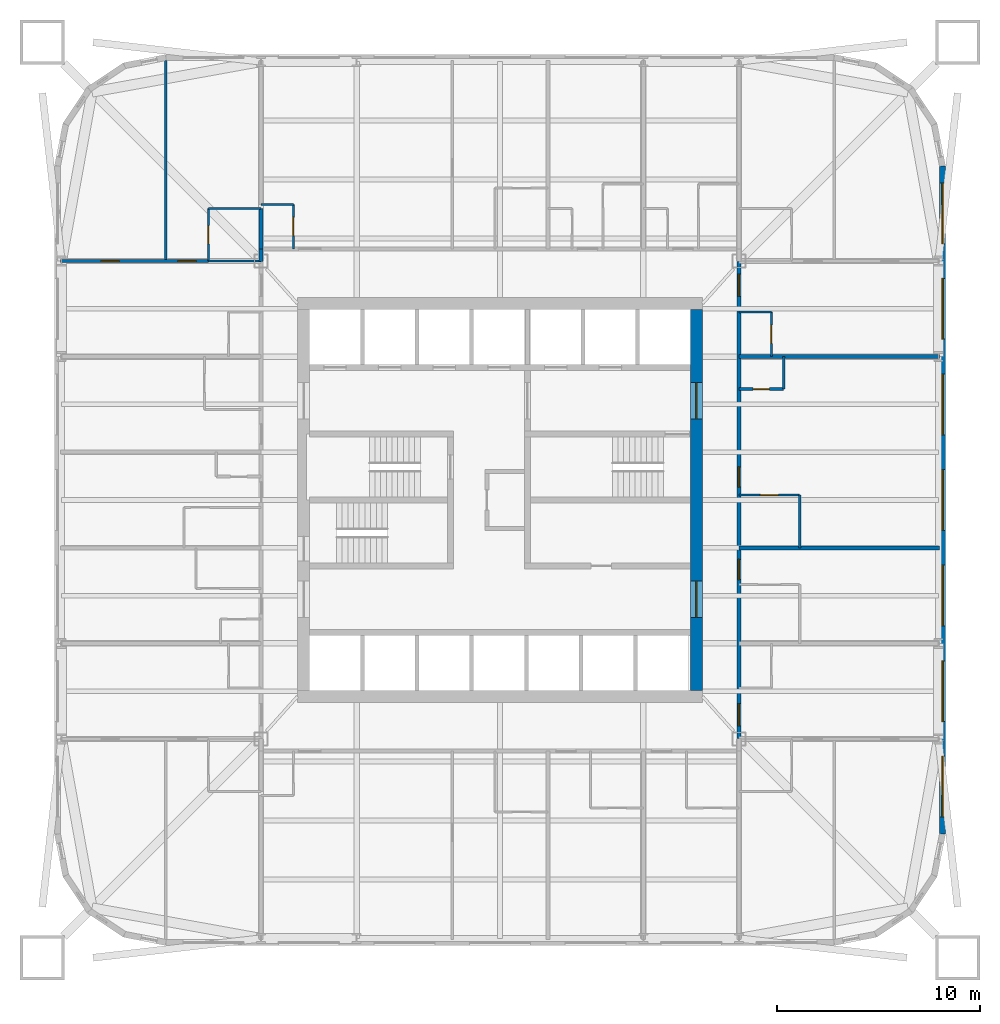
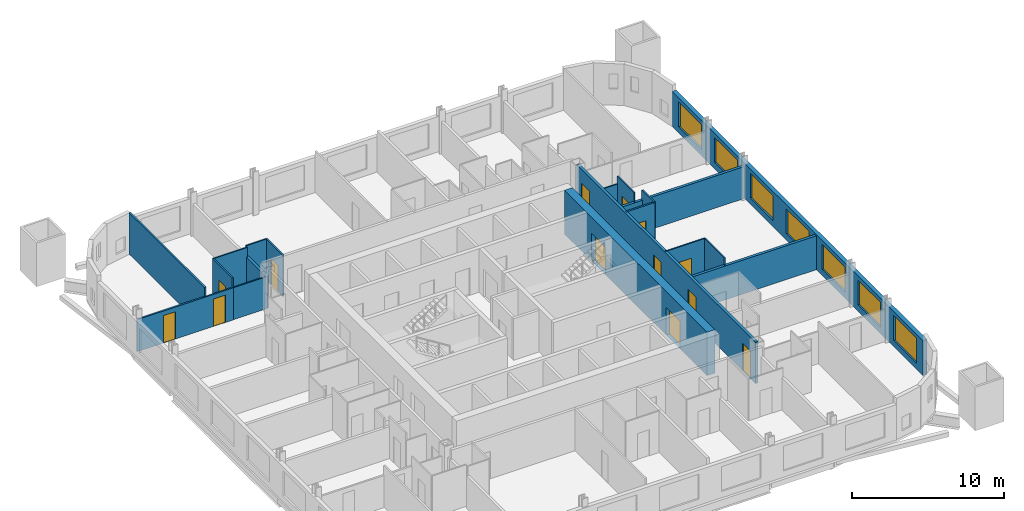
# One storey, part 6 of 9: 20 walls, 13 doors, 7 windows, 20 openings.
"""IFC4 building model written with IfcOpenShell, lengths in metres."""

from ifc_helpers import new_model, si_unit, direction, frame, frame_2d, origin, place, context, subcontext, project, spatial, rectangle, extrude, material, layer, layer_set, type_object, element, fill, save


model = new_model("IFC4")

# Units and contexts
model_context = context("Model", 3, precision=1e-05, world=origin(), true_north=direction((0.0, 1.0)))
body_context = subcontext(model_context, "Body", "Model", "MODEL_VIEW")
ifc_project = project(units=[si_unit("LENGTHUNIT", "METRE"), si_unit("AREAUNIT", "SQUARE_METRE"), si_unit("VOLUMEUNIT", "CUBIC_METRE"), si_unit("PLANEANGLEUNIT", "RADIAN"), si_unit("MASSUNIT", "GRAM", prefix="KILO")], contexts=[model_context])

# Site, building, storey
site_placement = place(None, origin())
site = spatial("IfcSite", under=ifc_project, at=site_placement, CompositionType="ELEMENT")
building_placement = place(site_placement, origin())
building = spatial("IfcBuilding", under=site, at=building_placement, Name="Turquesa Mirador Hotel Tower", CompositionType="ELEMENT")
storey_placement = place(building_placement, frame((0.0, 0.0, 28.5)))
storey = spatial("IfcBuildingStorey", under=building, at=storey_placement, Name="L06", CompositionType="ELEMENT", Elevation=28.5)

# Wall, opening, door
ifc_material_1 = material(Name="Gypsum board on steel studs", Category="steel")
ifc_layer_1 = layer(ifc_material_1, 0.10009765625)
ifc_layer_set_1 = layer_set([ifc_layer_1], Name="BATHROOM WALL 100")
wall_type_1 = type_object("IfcWallType", Name="BATHROOM WALL 100", PredefinedType="PARTITIONING", material=ifc_layer_set_1)
wall_1_placement = place(storey_placement, frame((66.800048828125, 45.239990234375, 0.0), z_axis=(0.0, 0.0, 1.0), x_axis=(1.0, 0.0, 0.0)))
wall_1 = element("IfcWall", 1, at=wall_1_placement, inside=storey, type_object=wall_type_1, Name="Partition L06 022", PredefinedType="PARTITIONING", context=body_context, shape_type="SweptSolid", body=[
    extrude(rectangle(XDim=3.0, YDim=0.10009765625, at=frame_2d((1.5, 0.0))), origin(), (0.0, 0.0, 1.0), 3.330078125),
])
opening_1_placement = place(wall_1_placement, frame((1.050048828125, 0.0, 0.0)))
opening_1 = element("IfcOpeningElement", 2, at=opening_1_placement, cuts=wall_1, Name="Opening D02", PredefinedType="OPENING", context=body_context, shape_type="SweptSolid", body=[
    extrude(rectangle(XDim=0.89990234375, YDim=2.10009765625, at=frame_2d((0.449951171875, 1.050048828125))), frame((0.0, 0.06005859375, 0.0), z_axis=(0.0, -1.0, 0.0), x_axis=(1.0, 0.0, 0.0)), (0.0, 0.0, 1.0), 0.1201171875),
])
ifc_material_2 = material(Name="Timber veneered door", Category="wood")
door_type_1 = type_object("IfcDoorType", Name="DOOR 900X2100 EN-SUITE", OperationType="SINGLE_SWING_RIGHT", PredefinedType="DOOR", material=ifc_material_2)
door_1_placement = place(opening_1_placement, origin())
door_1 = element("IfcDoor", 3, at=door_1_placement, inside=storey, type_object=door_type_1, Name="Door 0608B", OperationType="SINGLE_SWING_RIGHT", OverallHeight=2.10009765625, OverallWidth=0.89990234375, PredefinedType="DOOR", context=body_context, shape_type="SweptSolid", body=[
    extrude(rectangle(XDim=0.89990234375, YDim=2.10009765625, at=frame_2d((0.449951171875, 1.050048828125))), frame((0.0, 0.02490234375, 0.0), z_axis=(0.0, -1.0, 0.0), x_axis=(1.0, 0.0, 0.0)), (0.0, 0.0, 1.0), 0.050048828125),
])
fill(opening_1, door_1)

# Walls
wall_2_placement = place(storey_placement, frame((40.60009765625, 56.800048828125, 0.0), z_axis=(0.0, 0.0, 1.0), x_axis=(1.0, 0.0, 0.0)))
element("IfcWall", 4, at=wall_2_placement, inside=storey, type_object=wall_type_1, Name="Partition L06 024", PredefinedType="PARTITIONING", context=body_context, shape_type="SweptSolid", body=[
    extrude(rectangle(XDim=2.599853515625, YDim=0.10009765625, at=frame_2d((1.2998046875, 0.0))), origin(), (0.0, 0.0, 1.0), 2.572998046875),
])
wall_3_placement = place(storey_placement, frame((40.60009765625, 59.39990234375, 0.0), z_axis=(0.0, 0.0, 1.0), x_axis=(1.0, 0.0, 0.0)))
element("IfcWall", 5, at=wall_3_placement, inside=storey, type_object=wall_type_1, Name="Partition L06 029", PredefinedType="PARTITIONING", context=body_context, shape_type="SweptSolid", body=[
    extrude(rectangle(XDim=2.599853515625, YDim=0.10009765625, at=frame_2d((1.2998046875, 0.0))), origin(), (0.0, 0.0, 1.0), 3.330078125),
])
wall_4_placement = place(storey_placement, frame((43.199951171875, 59.60009765625, 0.0), z_axis=(0.0, 0.0, 1.0), x_axis=(1.0, 0.0, 0.0)))
element("IfcWall", 6, at=wall_4_placement, inside=storey, type_object=wall_type_1, Name="Partition L06 033", PredefinedType="PARTITIONING", context=body_context, shape_type="SweptSolid", body=[
    extrude(rectangle(XDim=1.60009765625, YDim=0.10009765625, at=frame_2d((0.800048828125, 0.0))), origin(), (0.0, 0.0, 1.0), 3.330078125),
])
wall_5_placement = place(storey_placement, frame((66.800048828125, 54.280029296875, 0.0), z_axis=(0.0, 0.0, 1.0), x_axis=(1.0, 0.0, 0.0)))
element("IfcWall", 7, at=wall_5_placement, inside=storey, type_object=wall_type_1, Name="Partition L06 043", PredefinedType="PARTITIONING", context=body_context, shape_type="SweptSolid", body=[
    extrude(rectangle(XDim=1.599853515625, YDim=0.10009765625, at=frame_2d((0.7998046875, 0.0))), origin(), (0.0, 0.0, 1.0), 2.722900390625),
])

# Wall, opening, door
wall_6_placement = place(storey_placement, frame((44.800048828125, 57.39990234375, 0.0), z_axis=(0.0, 0.0, 1.0), x_axis=(0.0, 1.0, 0.0)))
wall_6 = element("IfcWall", 8, at=wall_6_placement, inside=storey, type_object=wall_type_1, Name="Partition L06 047", PredefinedType="PARTITIONING", context=body_context, shape_type="SweptSolid", body=[
    extrude(rectangle(XDim=2.2001953125, YDim=0.10009765625, at=frame_2d((1.10009765625, 0.0))), origin(), (0.0, 0.0, 1.0), 3.330078125),
])
opening_2_placement = place(wall_6_placement, frame((0.64990234375, 0.0, 0.0)))
opening_2 = element("IfcOpeningElement", 9, at=opening_2_placement, cuts=wall_6, Name="Opening D06", PredefinedType="OPENING", context=body_context, shape_type="SweptSolid", body=[
    extrude(rectangle(XDim=0.89990234375, YDim=2.10009765625, at=frame_2d((0.449951171875, 1.050048828125))), frame((0.0, 0.06005859375, 0.0), z_axis=(0.0, -1.0, 0.0), x_axis=(1.0, 0.0, 0.0)), (0.0, 0.0, 1.0), 0.1201171875),
])
ifc_material_3 = material(Name="Laminate door", Category="wood")
door_type_2 = type_object("IfcDoorType", Name="DOOR 900X2100 WC", OperationType="SINGLE_SWING_LEFT", PredefinedType="DOOR", material=ifc_material_3)
door_2_placement = place(opening_2_placement, origin())
door_2 = element("IfcDoor", 10, at=door_2_placement, inside=storey, type_object=door_type_2, Name="Door 0601W", OperationType="SINGLE_SWING_LEFT", OverallHeight=2.10009765625, OverallWidth=0.89990234375, PredefinedType="DOOR", context=body_context, shape_type="SweptSolid", body=[
    extrude(rectangle(XDim=0.89990234375, YDim=2.10009765625, at=frame_2d((0.449951171875, 1.050048828125))), frame((0.0, 0.02490234375, 0.0), z_axis=(0.0, -1.0, 0.0), x_axis=(1.0, 0.0, 0.0)), (0.0, 0.0, 1.0), 0.050048828125),
])
fill(opening_2, door_2)

wall_7_placement = place(storey_placement, frame((40.60009765625, 56.800048828125, 0.0), z_axis=(0.0, 0.0, 1.0), x_axis=(0.0, 1.0, 0.0)))
wall_7 = element("IfcWall", 11, at=wall_7_placement, inside=storey, type_object=wall_type_1, Name="Partition L06 058", PredefinedType="PARTITIONING", context=body_context, shape_type="SweptSolid", body=[
    extrude(rectangle(XDim=2.599853515625, YDim=0.10009765625, at=frame_2d((1.2998046875, 0.0))), origin(), (0.0, 0.0, 1.0), 3.330078125),
])
opening_3_placement = place(wall_7_placement, frame((0.85009765625, 0.0, 0.0)))
opening_3 = element("IfcOpeningElement", 12, at=opening_3_placement, cuts=wall_7, Name="Opening D02", PredefinedType="OPENING", context=body_context, shape_type="SweptSolid", body=[
    extrude(rectangle(XDim=0.89990234375, YDim=2.10009765625, at=frame_2d((0.449951171875, 1.050048828125))), frame((0.0, 0.06005859375, 0.0), z_axis=(0.0, -1.0, 0.0), x_axis=(1.0, 0.0, 0.0)), (0.0, 0.0, 1.0), 0.1201171875),
])
door_3_placement = place(opening_3_placement, origin())
door_3 = element("IfcDoor", 13, at=door_3_placement, inside=storey, type_object=door_type_1, Name="Door 0613B", OperationType="SINGLE_SWING_RIGHT", OverallHeight=2.10009765625, OverallWidth=0.89990234375, PredefinedType="DOOR", context=body_context, shape_type="SweptSolid", body=[
    extrude(rectangle(XDim=0.89990234375, YDim=2.10009765625, at=frame_2d((0.449951171875, 1.050048828125))), frame((0.0, 0.02490234375, 0.0), z_axis=(0.0, -1.0, 0.0), x_axis=(1.0, 0.0, 0.0)), (0.0, 0.0, 1.0), 0.050048828125),
])
fill(opening_3, door_3)

wall_8_placement = place(storey_placement, frame((68.39990234375, 52.080078125, 0.0), z_axis=(0.0, 0.0, 1.0), x_axis=(0.0, 1.0, 0.0)))
wall_8 = element("IfcWall", 14, at=wall_8_placement, inside=storey, type_object=wall_type_1, Name="Partition L06 070", PredefinedType="PARTITIONING", context=body_context, shape_type="SweptSolid", body=[
    extrude(rectangle(XDim=2.199951171875, YDim=0.10009765625, at=frame_2d((1.10009765625, 0.0))), origin(), (0.0, 0.0, 1.0), 3.330078125),
])
opening_4_placement = place(wall_8_placement, frame((0.64990234375, 0.0, 0.0)))
opening_4 = element("IfcOpeningElement", 15, at=opening_4_placement, cuts=wall_8, Name="Opening D06", PredefinedType="OPENING", context=body_context, shape_type="SweptSolid", body=[
    extrude(rectangle(XDim=0.89990234375, YDim=2.10009765625, at=frame_2d((0.449951171875, 1.050048828125))), frame((0.0, 0.06005859375, 0.0), z_axis=(0.0, -1.0, 0.0), x_axis=(1.0, 0.0, 0.0)), (0.0, 0.0, 1.0), 0.1201171875),
])
door_4_placement = place(opening_4_placement, origin())
door_4 = element("IfcDoor", 16, at=door_4_placement, inside=storey, type_object=door_type_2, Name="Door 0612W", OperationType="SINGLE_SWING_LEFT", OverallHeight=2.10009765625, OverallWidth=0.89990234375, PredefinedType="DOOR", context=body_context, shape_type="SweptSolid", body=[
    extrude(rectangle(XDim=0.89990234375, YDim=2.10009765625, at=frame_2d((0.449951171875, 1.050048828125))), frame((0.0, 0.02490234375, 0.0), z_axis=(0.0, -1.0, 0.0), x_axis=(1.0, 0.0, 0.0)), (0.0, 0.0, 1.0), 0.050048828125),
])
fill(opening_4, door_4)

# Wall
wall_9_placement = place(storey_placement, frame((69.800048828125, 42.639892578125, 0.0), z_axis=(0.0, 0.0, 1.0), x_axis=(0.0, 1.0, 0.0)))
element("IfcWall", 17, at=wall_9_placement, inside=storey, type_object=wall_type_1, Name="Partition L06 075", PredefinedType="PARTITIONING", context=body_context, shape_type="SweptSolid", body=[
    extrude(rectangle(XDim=2.60009765625, YDim=0.10009765625, at=frame_2d((1.300048828125, 0.0))), origin(), (0.0, 0.0, 1.0), 3.330078125),
])

# Wall, openings, doors
ifc_material_4 = material(Name="Concrete C50/60", Category="concrete")
ifc_layer_2 = layer(ifc_material_4, 0.60009765625)
ifc_layer_set_2 = layer_set([ifc_layer_2], Name="CORE WALL 600")
wall_type_2 = type_object("IfcWallType", Name="CORE WALL 600", PredefinedType="SHEAR", material=ifc_layer_set_2)
wall_10_placement = place(storey_placement, frame((64.699951171875, 35.60009765625, 0.0), z_axis=(0.0, 0.0, 1.0), x_axis=(0.0, 1.0, 0.0)))
wall_10 = element("IfcWall", 18, at=wall_10_placement, inside=storey, type_object=wall_type_2, Name="Core wall E", PredefinedType="SHEAR", context=body_context, shape_type="SweptSolid", body=[
    extrude(rectangle(XDim=18.7998046875, YDim=0.60009765625, at=frame_2d((9.39990234375, 0.0))), origin(), (0.0, 0.0, 1.0), 3.5),
])
opening_5_placement = place(wall_10_placement, frame((13.39990234375, 0.0, 0.0)))
opening_5 = element("IfcOpeningElement", 19, at=opening_5_placement, cuts=wall_10, Name="Opening D04", PredefinedType="OPENING", context=body_context, shape_type="SweptSolid", body=[
    extrude(rectangle(XDim=1.800048828125, YDim=2.199951171875, at=frame_2d((0.89990234375, 1.10009765625))), frame((0.0, 0.31005859375, 0.0), z_axis=(0.0, -1.0, 0.0), x_axis=(1.0, 0.0, 0.0)), (0.0, 0.0, 1.0), 0.6201171875),
])
opening_6_placement = place(wall_10_placement, frame((3.60009765625, 0.0, 0.0)))
opening_6 = element("IfcOpeningElement", 20, at=opening_6_placement, cuts=wall_10, Name="Opening D04", PredefinedType="OPENING", context=body_context, shape_type="SweptSolid", body=[
    extrude(rectangle(XDim=1.800048828125, YDim=2.199951171875, at=frame_2d((0.89990234375, 1.10009765625))), frame((0.0, 0.31005859375, 0.0), z_axis=(0.0, -1.0, 0.0), x_axis=(1.0, 0.0, 0.0)), (0.0, 0.0, 1.0), 0.6201171875),
])
ifc_material_5 = material(Name="Steel fire door pair", Category="steel")
door_type_3 = type_object("IfcDoorType", Name="DOOR 1800X2200 PAIR", OperationType="DOUBLE_DOOR_SINGLE_SWING", PredefinedType="DOOR", material=ifc_material_5)
door_5_placement = place(opening_5_placement, origin())
door_5 = element("IfcDoor", 21, at=door_5_placement, inside=storey, type_object=door_type_3, Name="Firefighting lobby door", OperationType="DOUBLE_DOOR_SINGLE_SWING", OverallHeight=2.199951171875, OverallWidth=1.800048828125, PredefinedType="DOOR", context=body_context, shape_type="SweptSolid", body=[
    extrude(rectangle(XDim=1.800048828125, YDim=2.199951171875, at=frame_2d((0.89990234375, 1.10009765625))), frame((0.0, 0.02490234375, 0.0), z_axis=(0.0, -1.0, 0.0), x_axis=(1.0, 0.0, 0.0)), (0.0, 0.0, 1.0), 0.050048828125),
])
fill(opening_5, door_5)
door_6_placement = place(opening_6_placement, origin())
door_6 = element("IfcDoor", 22, at=door_6_placement, inside=storey, type_object=door_type_3, Name="South lift lobby door", OperationType="DOUBLE_DOOR_SINGLE_SWING", OverallHeight=2.199951171875, OverallWidth=1.800048828125, PredefinedType="DOOR", context=body_context, shape_type="SweptSolid", body=[
    extrude(rectangle(XDim=1.800048828125, YDim=2.199951171875, at=frame_2d((0.89990234375, 1.10009765625))), frame((0.0, 0.02490234375, 0.0), z_axis=(0.0, -1.0, 0.0), x_axis=(1.0, 0.0, 0.0)), (0.0, 0.0, 1.0), 0.050048828125),
])
fill(opening_6, door_6)

ifc_material_6 = material(Name="Fire-rated gypsum board on steel studs", Category="steel")
ifc_layer_3 = layer(ifc_material_6, 0.199951171875)
ifc_layer_set_3 = layer_set([ifc_layer_3], Name="CORRIDOR WALL 200")
wall_type_3 = type_object("IfcWallType", Name="CORRIDOR WALL 200", PredefinedType="PARTITIONING", material=ifc_layer_set_3)
wall_11_placement = place(storey_placement, frame((66.800048828125, 33.219970703125, 0.0), z_axis=(0.0, 0.0, 1.0), x_axis=(0.0, 1.0, 0.0)))
wall_11 = element("IfcWall", 23, at=wall_11_placement, inside=storey, type_object=wall_type_3, Name="Partition L06 066", PredefinedType="PARTITIONING", context=body_context, shape_type="SweptSolid", body=[
    extrude(rectangle(XDim=23.56005859375, YDim=0.199951171875, at=frame_2d((11.780029296875, 0.0))), origin(), (0.0, 0.0, 1.0), 3.330078125),
])
opening_7_placement = place(wall_11_placement, frame((7.85009765625, 0.0, 0.0)))
opening_7 = element("IfcOpeningElement", 24, at=opening_7_placement, cuts=wall_11, Name="Opening D01", PredefinedType="OPENING", context=body_context, shape_type="SweptSolid", body=[
    extrude(rectangle(XDim=1.0, YDim=2.199951171875, at=frame_2d((0.5, 1.10009765625))), frame((0.0, 0.10986328125, 0.0), z_axis=(0.0, -1.0, 0.0), x_axis=(1.0, 0.0, 0.0)), (0.0, 0.0, 1.0), 0.219970703125),
])
opening_8_placement = place(wall_11_placement, frame((12.419921875, 0.0, 0.0)))
opening_8 = element("IfcOpeningElement", 25, at=opening_8_placement, cuts=wall_11, Name="Opening D01", PredefinedType="OPENING", context=body_context, shape_type="SweptSolid", body=[
    extrude(rectangle(XDim=1.0, YDim=2.199951171875, at=frame_2d((0.5, 1.10009765625))), frame((0.0, 0.10986328125, 0.0), z_axis=(0.0, -1.0, 0.0), x_axis=(1.0, 0.0, 0.0)), (0.0, 0.0, 1.0), 0.219970703125),
])
opening_9_placement = place(wall_11_placement, frame((21.830078125, 0.0, 0.0)))
opening_9 = element("IfcOpeningElement", 26, at=opening_9_placement, cuts=wall_11, Name="Opening D15", PredefinedType="OPENING", context=body_context, shape_type="SweptSolid", body=[
    extrude(rectangle(XDim=1.10009765625, YDim=2.199951171875, at=frame_2d((0.550048828125, 1.10009765625))), frame((0.0, 0.10986328125, 0.0), z_axis=(0.0, -1.0, 0.0), x_axis=(1.0, 0.0, 0.0)), (0.0, 0.0, 1.0), 0.219970703125),
])
opening_10_placement = place(wall_11_placement, frame((0.6298828125, 0.0, 0.0)))
opening_10 = element("IfcOpeningElement", 27, at=opening_10_placement, cuts=wall_11, Name="Opening D15", PredefinedType="OPENING", context=body_context, shape_type="SweptSolid", body=[
    extrude(rectangle(XDim=1.10009765625, YDim=2.199951171875, at=frame_2d((0.550048828125, 1.10009765625))), frame((0.0, 0.10986328125, 0.0), z_axis=(0.0, -1.0, 0.0), x_axis=(1.0, 0.0, 0.0)), (0.0, 0.0, 1.0), 0.219970703125),
])
ifc_material_7 = material(Name="Timber veneered fire door", Category="wood")
door_type_4 = type_object("IfcDoorType", Name="DOOR 1000X2200 GUEST ENTRY", OperationType="SINGLE_SWING_LEFT", PredefinedType="DOOR", material=ifc_material_7)
door_7_placement = place(opening_7_placement, origin())
door_7 = element("IfcDoor", 28, at=door_7_placement, inside=storey, type_object=door_type_4, Name="Door 0607", OperationType="SINGLE_SWING_LEFT", OverallHeight=2.199951171875, OverallWidth=1.0, PredefinedType="DOOR", context=body_context, shape_type="SweptSolid", body=[
    extrude(rectangle(XDim=1.0, YDim=2.199951171875, at=frame_2d((0.5, 1.10009765625))), frame((0.0, 0.02490234375, 0.0), z_axis=(0.0, -1.0, 0.0), x_axis=(1.0, 0.0, 0.0)), (0.0, 0.0, 1.0), 0.050048828125),
])
fill(opening_7, door_7)
door_8_placement = place(opening_8_placement, origin())
door_8 = element("IfcDoor", 29, at=door_8_placement, inside=storey, type_object=door_type_4, Name="Door 0608", OperationType="SINGLE_SWING_LEFT", OverallHeight=2.199951171875, OverallWidth=1.0, PredefinedType="DOOR", context=body_context, shape_type="SweptSolid", body=[
    extrude(rectangle(XDim=1.0, YDim=2.199951171875, at=frame_2d((0.5, 1.10009765625))), frame((0.0, 0.02490234375, 0.0), z_axis=(0.0, -1.0, 0.0), x_axis=(1.0, 0.0, 0.0)), (0.0, 0.0, 1.0), 0.050048828125),
])
fill(opening_8, door_8)
ifc_material_8 = material(Name="Timber veneered fire door", Category="wood")
door_type_5 = type_object("IfcDoorType", Name="DOOR 1100X2200 SUITE ENTRY", OperationType="SINGLE_SWING_LEFT", PredefinedType="DOOR", material=ifc_material_8)
door_9_placement = place(opening_9_placement, origin())
door_9 = element("IfcDoor", 30, at=door_9_placement, inside=storey, type_object=door_type_5, Name="Door 0612", OperationType="SINGLE_SWING_LEFT", OverallHeight=2.199951171875, OverallWidth=1.10009765625, PredefinedType="DOOR", context=body_context, shape_type="SweptSolid", body=[
    extrude(rectangle(XDim=1.10009765625, YDim=2.199951171875, at=frame_2d((0.550048828125, 1.10009765625))), frame((0.0, 0.02490234375, 0.0), z_axis=(0.0, -1.0, 0.0), x_axis=(1.0, 0.0, 0.0)), (0.0, 0.0, 1.0), 0.050048828125),
])
fill(opening_9, door_9)
door_10_placement = place(opening_10_placement, origin())
door_10 = element("IfcDoor", 31, at=door_10_placement, inside=storey, type_object=door_type_5, Name="Door 0615", OperationType="SINGLE_SWING_LEFT", OverallHeight=2.199951171875, OverallWidth=1.10009765625, PredefinedType="DOOR", context=body_context, shape_type="SweptSolid", body=[
    extrude(rectangle(XDim=1.10009765625, YDim=2.199951171875, at=frame_2d((0.550048828125, 1.10009765625))), frame((0.0, 0.02490234375, 0.0), z_axis=(0.0, -1.0, 0.0), x_axis=(1.0, 0.0, 0.0)), (0.0, 0.0, 1.0), 0.050048828125),
])
fill(opening_10, door_10)

# Wall
wall_12_placement = place(storey_placement, frame((43.199951171875, 56.780029296875, 0.0), z_axis=(0.0, 0.0, 1.0), x_axis=(0.0, 1.0, 0.0)))
element("IfcWall", 32, at=wall_12_placement, inside=storey, type_object=wall_type_3, Name="Partition L06 089", PredefinedType="PARTITIONING", context=body_context, shape_type="SweptSolid", body=[
    extrude(rectangle(XDim=0.619873046875, YDim=0.199951171875, at=frame_2d((0.31005859375, 0.0))), origin(), (0.0, 0.0, 1.0), 2.572998046875),
])

# Wall, openings, windows
ifc_material_9 = material(Name="Limestone cladding on concrete block", Category="masonry")
ifc_layer_4 = layer(ifc_material_9, 0.300048828125)
ifc_layer_set_4 = layer_set([ifc_layer_4], Name="FACADE WALL 300 STONE SCREEN")
wall_type_4 = type_object("IfcWallType", Name="FACADE WALL 300 STONE SCREEN", PredefinedType="SOLIDWALL", material=ifc_layer_set_4)
wall_13_placement = place(storey_placement, frame((76.85009765625, 28.5, 0.0), z_axis=(0.0, 0.0, 1.0), x_axis=(0.0, 1.0, 0.0)))
wall_13 = element("IfcWall", 33, at=wall_13_placement, inside=storey, type_object=wall_type_4, Name="Facade wall L06 04", PredefinedType="SOLIDWALL", context=body_context, shape_type="SweptSolid", body=[
    extrude(rectangle(XDim=33.0, YDim=0.300048828125, at=frame_2d((16.5, 0.0))), origin(), (0.0, 0.0, 1.0), 2.830078125),
])
opening_11_placement = place(wall_13_placement, frame((0.85009765625, 0.0, 0.5)))
opening_11 = element("IfcOpeningElement", 34, at=opening_11_placement, cuts=wall_13, Name="Opening WN1", PredefinedType="OPENING", context=body_context, shape_type="SweptSolid", body=[
    extrude(rectangle(XDim=3.0, YDim=2.0, at=frame_2d((1.5, 1.0))), frame((0.0, 0.159912109375, 0.0), z_axis=(0.0, -1.0, 0.0), x_axis=(1.0, 0.0, 0.0)), (0.0, 0.0, 1.0), 0.320068359375),
])
opening_12_placement = place(wall_13_placement, frame((5.56005859375, 0.0, 0.5)))
opening_12 = element("IfcOpeningElement", 35, at=opening_12_placement, cuts=wall_13, Name="Opening WN1", PredefinedType="OPENING", context=body_context, shape_type="SweptSolid", body=[
    extrude(rectangle(XDim=3.0, YDim=2.0, at=frame_2d((1.5, 1.0))), frame((0.0, 0.159912109375, 0.0), z_axis=(0.0, -1.0, 0.0), x_axis=(1.0, 0.0, 0.0)), (0.0, 0.0, 1.0), 0.320068359375),
])
opening_13_placement = place(wall_13_placement, frame((10.280029296875, 0.0, 0.5)))
opening_13 = element("IfcOpeningElement", 36, at=opening_13_placement, cuts=wall_13, Name="Opening WN1", PredefinedType="OPENING", context=body_context, shape_type="SweptSolid", body=[
    extrude(rectangle(XDim=3.0, YDim=2.0, at=frame_2d((1.5, 1.0))), frame((0.0, 0.159912109375, 0.0), z_axis=(0.0, -1.0, 0.0), x_axis=(1.0, 0.0, 0.0)), (0.0, 0.0, 1.0), 0.320068359375),
])
opening_14_placement = place(wall_13_placement, frame((15.0, 0.0, 0.5)))
opening_14 = element("IfcOpeningElement", 37, at=opening_14_placement, cuts=wall_13, Name="Opening WN1", PredefinedType="OPENING", context=body_context, shape_type="SweptSolid", body=[
    extrude(rectangle(XDim=3.0, YDim=2.0, at=frame_2d((1.5, 1.0))), frame((0.0, 0.159912109375, 0.0), z_axis=(0.0, -1.0, 0.0), x_axis=(1.0, 0.0, 0.0)), (0.0, 0.0, 1.0), 0.320068359375),
])
opening_15_placement = place(wall_13_placement, frame((19.719970703125, 0.0, 0.5)))
opening_15 = element("IfcOpeningElement", 38, at=opening_15_placement, cuts=wall_13, Name="Opening WN1", PredefinedType="OPENING", context=body_context, shape_type="SweptSolid", body=[
    extrude(rectangle(XDim=3.0, YDim=2.0, at=frame_2d((1.5, 1.0))), frame((0.0, 0.159912109375, 0.0), z_axis=(0.0, -1.0, 0.0), x_axis=(1.0, 0.0, 0.0)), (0.0, 0.0, 1.0), 0.320068359375),
])
opening_16_placement = place(wall_13_placement, frame((24.43994140625, 0.0, 0.5)))
opening_16 = element("IfcOpeningElement", 39, at=opening_16_placement, cuts=wall_13, Name="Opening WN1", PredefinedType="OPENING", context=body_context, shape_type="SweptSolid", body=[
    extrude(rectangle(XDim=3.0, YDim=2.0, at=frame_2d((1.5, 1.0))), frame((0.0, 0.159912109375, 0.0), z_axis=(0.0, -1.0, 0.0), x_axis=(1.0, 0.0, 0.0)), (0.0, 0.0, 1.0), 0.320068359375),
])
opening_17_placement = place(wall_13_placement, frame((29.14990234375, 0.0, 0.5)))
opening_17 = element("IfcOpeningElement", 40, at=opening_17_placement, cuts=wall_13, Name="Opening WN1", PredefinedType="OPENING", context=body_context, shape_type="SweptSolid", body=[
    extrude(rectangle(XDim=3.0, YDim=2.0, at=frame_2d((1.5, 1.0))), frame((0.0, 0.159912109375, 0.0), z_axis=(0.0, -1.0, 0.0), x_axis=(1.0, 0.0, 0.0)), (0.0, 0.0, 1.0), 0.320068359375),
])
ifc_material_10 = material(Name="Ceramic-fritted laminated glass", Category="glass")
window_type = type_object("IfcWindowType", Name="FRITTED WINDOW 3000X2000", PartitioningType="DOUBLE_PANEL_HORIZONTAL", PredefinedType="WINDOW", material=ifc_material_10)
window_1_placement = place(opening_11_placement, origin())
window_1 = element("IfcWindow", 41, at=window_1_placement, inside=storey, type_object=window_type, Name="Window L06", OverallHeight=2.0, OverallWidth=3.0, PartitioningType="SINGLE_PANEL", PredefinedType="WINDOW", context=body_context, shape_type="SweptSolid", body=[
    extrude(rectangle(XDim=3.0, YDim=2.0, at=frame_2d((1.5, 1.0))), frame((0.0, 0.030029296875, 0.0), z_axis=(0.0, -1.0, 0.0), x_axis=(1.0, 0.0, 0.0)), (0.0, 0.0, 1.0), 0.06005859375),
])
fill(opening_11, window_1)
window_2_placement = place(opening_12_placement, origin())
window_2 = element("IfcWindow", 42, at=window_2_placement, inside=storey, type_object=window_type, Name="Window L06", OverallHeight=2.0, OverallWidth=3.0, PartitioningType="SINGLE_PANEL", PredefinedType="WINDOW", context=body_context, shape_type="SweptSolid", body=[
    extrude(rectangle(XDim=3.0, YDim=2.0, at=frame_2d((1.5, 1.0))), frame((0.0, 0.030029296875, 0.0), z_axis=(0.0, -1.0, 0.0), x_axis=(1.0, 0.0, 0.0)), (0.0, 0.0, 1.0), 0.06005859375),
])
fill(opening_12, window_2)
window_3_placement = place(opening_13_placement, origin())
window_3 = element("IfcWindow", 43, at=window_3_placement, inside=storey, type_object=window_type, Name="Window L06", OverallHeight=2.0, OverallWidth=3.0, PartitioningType="SINGLE_PANEL", PredefinedType="WINDOW", context=body_context, shape_type="SweptSolid", body=[
    extrude(rectangle(XDim=3.0, YDim=2.0, at=frame_2d((1.5, 1.0))), frame((0.0, 0.030029296875, 0.0), z_axis=(0.0, -1.0, 0.0), x_axis=(1.0, 0.0, 0.0)), (0.0, 0.0, 1.0), 0.06005859375),
])
fill(opening_13, window_3)
window_4_placement = place(opening_14_placement, origin())
window_4 = element("IfcWindow", 44, at=window_4_placement, inside=storey, type_object=window_type, Name="Window L06", OverallHeight=2.0, OverallWidth=3.0, PartitioningType="SINGLE_PANEL", PredefinedType="WINDOW", context=body_context, shape_type="SweptSolid", body=[
    extrude(rectangle(XDim=3.0, YDim=2.0, at=frame_2d((1.5, 1.0))), frame((0.0, 0.030029296875, 0.0), z_axis=(0.0, -1.0, 0.0), x_axis=(1.0, 0.0, 0.0)), (0.0, 0.0, 1.0), 0.06005859375),
])
fill(opening_14, window_4)
window_5_placement = place(opening_15_placement, origin())
window_5 = element("IfcWindow", 45, at=window_5_placement, inside=storey, type_object=window_type, Name="Window L06", OverallHeight=2.0, OverallWidth=3.0, PartitioningType="SINGLE_PANEL", PredefinedType="WINDOW", context=body_context, shape_type="SweptSolid", body=[
    extrude(rectangle(XDim=3.0, YDim=2.0, at=frame_2d((1.5, 1.0))), frame((0.0, 0.030029296875, 0.0), z_axis=(0.0, -1.0, 0.0), x_axis=(1.0, 0.0, 0.0)), (0.0, 0.0, 1.0), 0.06005859375),
])
fill(opening_15, window_5)
window_6_placement = place(opening_16_placement, origin())
window_6 = element("IfcWindow", 46, at=window_6_placement, inside=storey, type_object=window_type, Name="Window L06", OverallHeight=2.0, OverallWidth=3.0, PartitioningType="SINGLE_PANEL", PredefinedType="WINDOW", context=body_context, shape_type="SweptSolid", body=[
    extrude(rectangle(XDim=3.0, YDim=2.0, at=frame_2d((1.5, 1.0))), frame((0.0, 0.030029296875, 0.0), z_axis=(0.0, -1.0, 0.0), x_axis=(1.0, 0.0, 0.0)), (0.0, 0.0, 1.0), 0.06005859375),
])
fill(opening_16, window_6)
window_7_placement = place(opening_17_placement, origin())
window_7 = element("IfcWindow", 47, at=window_7_placement, inside=storey, type_object=window_type, Name="Window L06", OverallHeight=2.0, OverallWidth=3.0, PartitioningType="SINGLE_PANEL", PredefinedType="WINDOW", context=body_context, shape_type="SweptSolid", body=[
    extrude(rectangle(XDim=3.0, YDim=2.0, at=frame_2d((1.5, 1.0))), frame((0.0, 0.030029296875, 0.0), z_axis=(0.0, -1.0, 0.0), x_axis=(1.0, 0.0, 0.0)), (0.0, 0.0, 1.0), 0.06005859375),
])
fill(opening_17, window_7)

# Walls
ifc_material_11 = material(Name="Fire-rated gypsum board on steel studs", Category="steel")
ifc_layer_5 = layer(ifc_material_11, 0.199951171875)
ifc_layer_set_5 = layer_set([ifc_layer_5], Name="PARTY WALL 200")
wall_type_5 = type_object("IfcWallType", Name="PARTY WALL 200", PredefinedType="PARTITIONING", material=ifc_layer_set_5)
wall_14_placement = place(storey_placement, frame((66.800048828125, 42.639892578125, 0.0), z_axis=(0.0, 0.0, 1.0), x_axis=(1.0, 0.0, 0.0)))
element("IfcWall", 48, at=wall_14_placement, inside=storey, type_object=wall_type_5, Name="Partition L06 014", PredefinedType="PARTITIONING", context=body_context, shape_type="SweptSolid", body=[
    extrude(rectangle(XDim=9.89990234375, YDim=0.199951171875, at=frame_2d((4.949951171875, 0.0))), origin(), (0.0, 0.0, 1.0), 2.722900390625),
])
wall_15_placement = place(storey_placement, frame((66.800048828125, 52.080078125, 0.0), z_axis=(0.0, 0.0, 1.0), x_axis=(1.0, 0.0, 0.0)))
element("IfcWall", 49, at=wall_15_placement, inside=storey, type_object=wall_type_5, Name="Partition L06 041", PredefinedType="PARTITIONING", context=body_context, shape_type="SweptSolid", body=[
    extrude(rectangle(XDim=9.89990234375, YDim=0.199951171875, at=frame_2d((4.949951171875, 0.0))), origin(), (0.0, 0.0, 1.0), 2.572998046875),
])
wall_16_placement = place(storey_placement, frame((43.199951171875, 57.39990234375, 0.0), z_axis=(0.0, 0.0, 1.0), x_axis=(0.0, 1.0, 0.0)))
element("IfcWall", 50, at=wall_16_placement, inside=storey, type_object=wall_type_5, Name="Partition L06 051", PredefinedType="PARTITIONING", context=body_context, shape_type="SweptSolid", body=[
    extrude(rectangle(XDim=2.0, YDim=0.199951171875, at=frame_2d((1.0, 0.0))), origin(), (0.0, 0.0, 1.0), 2.572998046875),
])

# Wall, openings, doors
ifc_material_12 = material(Name="Acoustic gypsum board on steel studs", Category="steel")
ifc_layer_6 = layer(ifc_material_12, 0.125)
ifc_layer_set_6 = layer_set([ifc_layer_6], Name="SUITE PARTITION 125")
wall_type_6 = type_object("IfcWallType", Name="SUITE PARTITION 125", PredefinedType="PARTITIONING", material=ifc_layer_set_6)
wall_17_placement = place(storey_placement, frame((33.300048828125, 56.800048828125, 0.0), z_axis=(0.0, 0.0, 1.0), x_axis=(1.0, 0.0, 0.0)))
wall_17 = element("IfcWall", 51, at=wall_17_placement, inside=storey, type_object=wall_type_6, Name="Partition L06 026", PredefinedType="PARTITIONING", context=body_context, shape_type="SweptSolid", body=[
    extrude(rectangle(XDim=7.300048828125, YDim=0.125, at=frame_2d((3.64990234375, 0.0))), origin(), (0.0, 0.0, 1.0), 2.572998046875),
])
opening_18_placement = place(wall_17_placement, frame((5.800048828125, 0.0, 0.0)))
opening_18 = element("IfcOpeningElement", 52, at=opening_18_placement, cuts=wall_17, Name="Opening D17", PredefinedType="OPENING", context=body_context, shape_type="SweptSolid", body=[
    extrude(rectangle(XDim=0.89990234375, YDim=2.199951171875, at=frame_2d((0.449951171875, 1.10009765625))), frame((0.0, 0.072509765625, 0.0), z_axis=(0.0, -1.0, 0.0), x_axis=(1.0, 0.0, 0.0)), (0.0, 0.0, 1.0), 0.14501953125),
])
opening_19_placement = place(wall_17_placement, frame((2.0, 0.0, 0.0)))
opening_19 = element("IfcOpeningElement", 53, at=opening_19_placement, cuts=wall_17, Name="Opening D17", PredefinedType="OPENING", context=body_context, shape_type="SweptSolid", body=[
    extrude(rectangle(XDim=0.89990234375, YDim=2.199951171875, at=frame_2d((0.449951171875, 1.10009765625))), frame((0.0, 0.072509765625, 0.0), z_axis=(0.0, -1.0, 0.0), x_axis=(1.0, 0.0, 0.0)), (0.0, 0.0, 1.0), 0.14501953125),
])
ifc_material_13 = material(Name="Timber veneered door", Category="wood")
door_type_6 = type_object("IfcDoorType", Name="DOOR 900X2200 SUITE INTERNAL", OperationType="SINGLE_SWING_LEFT", PredefinedType="DOOR", material=ifc_material_13)
door_11_placement = place(opening_18_placement, origin())
door_11 = element("IfcDoor", 54, at=door_11_placement, inside=storey, type_object=door_type_6, Name="Door 0613R", OperationType="SINGLE_SWING_LEFT", OverallHeight=2.199951171875, OverallWidth=0.89990234375, PredefinedType="DOOR", context=body_context, shape_type="SweptSolid", body=[
    extrude(rectangle(XDim=0.89990234375, YDim=2.199951171875, at=frame_2d((0.449951171875, 1.10009765625))), frame((0.0, 0.02490234375, 0.0), z_axis=(0.0, -1.0, 0.0), x_axis=(1.0, 0.0, 0.0)), (0.0, 0.0, 1.0), 0.050048828125),
])
fill(opening_18, door_11)
door_12_placement = place(opening_19_placement, origin())
door_12 = element("IfcDoor", 55, at=door_12_placement, inside=storey, type_object=door_type_6, Name="Door 0613S", OperationType="SINGLE_SWING_LEFT", OverallHeight=2.199951171875, OverallWidth=0.89990234375, PredefinedType="DOOR", context=body_context, shape_type="SweptSolid", body=[
    extrude(rectangle(XDim=0.89990234375, YDim=2.199951171875, at=frame_2d((0.449951171875, 1.10009765625))), frame((0.0, 0.02490234375, 0.0), z_axis=(0.0, -1.0, 0.0), x_axis=(1.0, 0.0, 0.0)), (0.0, 0.0, 1.0), 0.050048828125),
])
fill(opening_19, door_12)

# Wall, opening, door
wall_18_placement = place(storey_placement, frame((66.800048828125, 50.47998046875, 0.0), z_axis=(0.0, 0.0, 1.0), x_axis=(1.0, 0.0, 0.0)))
wall_18 = element("IfcWall", 56, at=wall_18_placement, inside=storey, type_object=wall_type_6, Name="Partition L06 039", PredefinedType="PARTITIONING", context=body_context, shape_type="SweptSolid", body=[
    extrude(rectangle(XDim=2.199951171875, YDim=0.125, at=frame_2d((1.10009765625, 0.0))), origin(), (0.0, 0.0, 1.0), 3.330078125),
])
opening_20_placement = place(wall_18_placement, frame((0.699951171875, 0.0, 0.0)))
opening_20 = element("IfcOpeningElement", 57, at=opening_20_placement, cuts=wall_18, Name="Opening D20", PredefinedType="OPENING", context=body_context, shape_type="SweptSolid", body=[
    extrude(rectangle(XDim=0.800048828125, YDim=2.10009765625, at=frame_2d((0.39990234375, 1.050048828125))), frame((0.0, 0.072509765625, 0.0), z_axis=(0.0, -1.0, 0.0), x_axis=(1.0, 0.0, 0.0)), (0.0, 0.0, 1.0), 0.14501953125),
])
ifc_material_14 = material(Name="Timber veneered sliding door", Category="wood")
door_type_7 = type_object("IfcDoorType", Name="DOOR 800X2100 WARDROBE", OperationType="SLIDING_TO_LEFT", PredefinedType="DOOR", material=ifc_material_14)
door_13_placement = place(opening_20_placement, origin())
door_13 = element("IfcDoor", 58, at=door_13_placement, inside=storey, type_object=door_type_7, Name="Door 0608W", OperationType="SLIDING_TO_LEFT", OverallHeight=2.10009765625, OverallWidth=0.800048828125, PredefinedType="DOOR", context=body_context, shape_type="SweptSolid", body=[
    extrude(rectangle(XDim=0.800048828125, YDim=2.10009765625, at=frame_2d((0.39990234375, 1.050048828125))), frame((0.0, 0.02490234375, 0.0), z_axis=(0.0, -1.0, 0.0), x_axis=(1.0, 0.0, 0.0)), (0.0, 0.0, 1.0), 0.050048828125),
])
fill(opening_20, door_13)

# Walls
wall_19_placement = place(storey_placement, frame((38.5, 56.800048828125, 0.0), z_axis=(0.0, 0.0, 1.0), x_axis=(0.0, 1.0, 0.0)))
element("IfcWall", 59, at=wall_19_placement, inside=storey, type_object=wall_type_6, Name="Partition L06 063", PredefinedType="PARTITIONING", context=body_context, shape_type="SweptSolid", body=[
    extrude(rectangle(XDim=9.89404296875, YDim=0.125, at=frame_2d((4.947021484375, 0.0))), origin(), (0.0, 0.0, 1.0), 3.330078125),
])
wall_20_placement = place(storey_placement, frame((69.0, 50.47998046875, 0.0), z_axis=(0.0, 0.0, 1.0), x_axis=(0.0, 1.0, 0.0)))
element("IfcWall", 60, at=wall_20_placement, inside=storey, type_object=wall_type_6, Name="Partition L06 071", PredefinedType="PARTITIONING", context=body_context, shape_type="SweptSolid", body=[
    extrude(rectangle(XDim=1.60009765625, YDim=0.125, at=frame_2d((0.800048828125, 0.0))), origin(), (0.0, 0.0, 1.0), 3.330078125),
])

save(model, "model.ifc")
